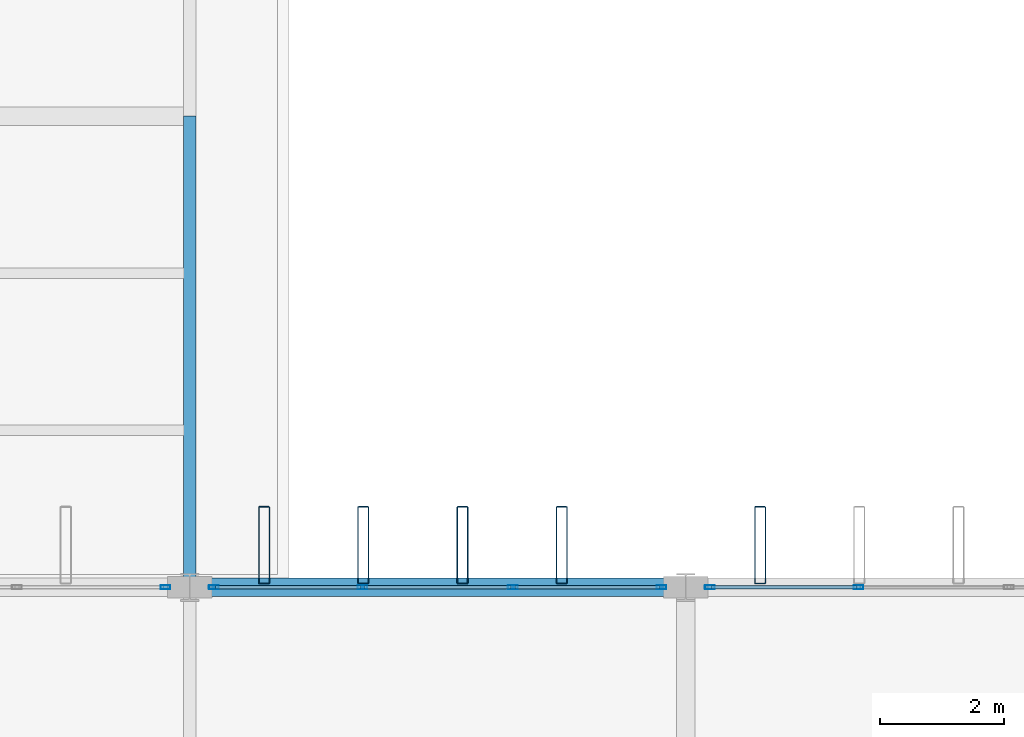
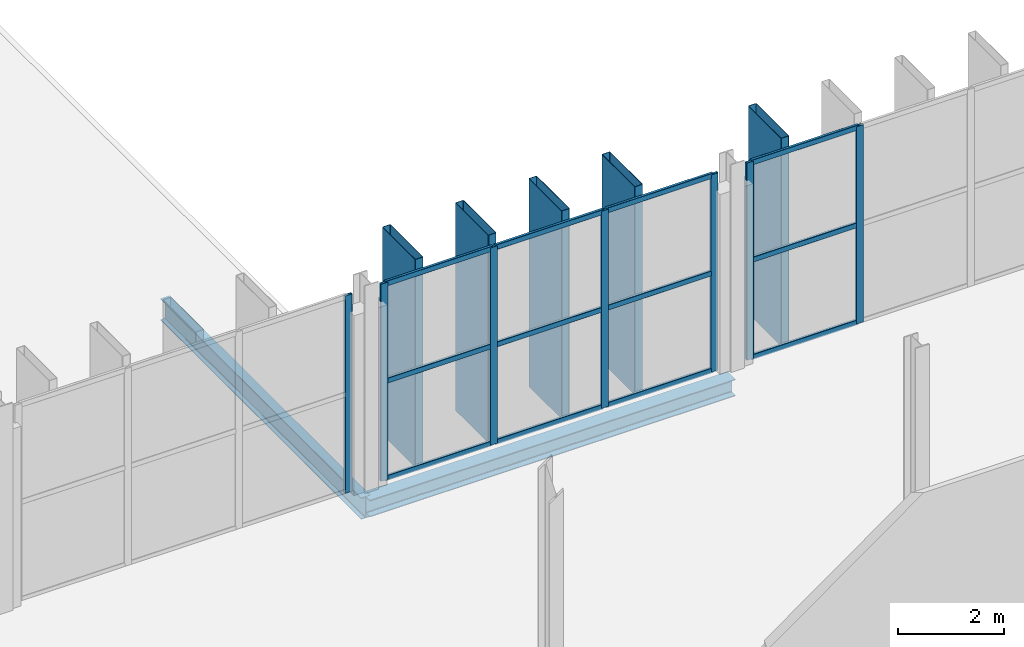
# One storey, part 50 of 120: 24 members, 2 beams, 3 elements without a shape of their own.
"""IFC4 building model written with IfcOpenShell, lengths in metres."""

from ifc_helpers import new_model, si_unit, direction, frame, origin, origin_2d, place, context, subcontext, project, spatial, hollow_rectangle, i_section, extrude, material, layer, layer_set, material_profile, profile_set, type_object, element, aggregate, save


model = new_model("IFC4")

# Units and contexts
model_context = context("Model", 3, precision=1e-05, world=origin(), true_north=direction((0.0, 1.0)))
body_context = subcontext(model_context, "Body", "Model", "MODEL_VIEW")
ifc_project = project(units=[si_unit("LENGTHUNIT", "METRE"), si_unit("AREAUNIT", "SQUARE_METRE"), si_unit("VOLUMEUNIT", "CUBIC_METRE"), si_unit("PLANEANGLEUNIT", "RADIAN"), si_unit("MASSUNIT", "GRAM", prefix="KILO")], contexts=[model_context])

# Site, building, storey
site_placement = place(None, origin())
site = spatial("IfcSite", under=ifc_project, at=site_placement, CompositionType="ELEMENT")
building_placement = place(site_placement, origin())
building = spatial("IfcBuilding", under=site, at=building_placement, Name="Vekula Escarpment Museum", CompositionType="ELEMENT")
storey_placement = place(building_placement, frame((0.0, 0.0, 13.199951171875)))
storey = spatial("IfcBuildingStorey", under=building, at=storey_placement, Name="L03", CompositionType="ELEMENT", Elevation=13.199951171875)

# Beams
ifc_material_1 = material(Name="Steel S355", Category="steel")
ifc_material_profile_1 = material_profile(ifc_material_1, i_section(OverallWidth=0.199951171875, OverallDepth=0.5, WebThickness=0.01025390625, FlangeThickness=0.01611328125, FilletRadius=0.02099609375, at=origin_2d()), Name="IPE 500")
ifc_profile_set_1 = profile_set([ifc_material_profile_1], Name="Steel S355")
beam_type_1 = type_object("IfcBeamType", Name="BM-GIRD-IPE500", PredefinedType="BEAM", material=ifc_profile_set_1)
beam_1_placement = place(storey_placement, frame((102.0, 90.39990234375, -0.5), z_axis=(0.0, 1.0, 0.0), x_axis=(-1.0, 0.0, 0.0)))
element("IfcBeam", 1, at=beam_1_placement, inside=storey, type_object=beam_type_1, Name="Beam Y L03 1601", PredefinedType="BEAM", context=body_context, shape_type="SweptSolid", body=[
    extrude(i_section(OverallWidth=0.199951171875, OverallDepth=0.5, WebThickness=0.01025390625, FlangeThickness=0.01611328125, FilletRadius=0.02099609375, at=origin_2d()), origin(), (0.0, 0.0, 1.0), 7.60009765625),
])
ifc_material_2 = material(Name="Steel S355", Category="steel")
ifc_material_profile_2 = material_profile(ifc_material_2, i_section(OverallWidth=0.300048828125, OverallDepth=0.389892578125, WebThickness=0.010986328125, FlangeThickness=0.01904296875, FilletRadius=0.027099609375, at=origin_2d()), Name="HEA 400")
ifc_profile_set_2 = profile_set([ifc_material_profile_2], Name="Steel S355")
beam_type_2 = type_object("IfcBeamType", Name="BM-SPAN-HEA400", PredefinedType="SPANDREL", material=ifc_profile_set_2)
beam_2_placement = place(storey_placement, frame((102.0, 90.39990234375, -0.445068359375), z_axis=(1.0, 0.0, 0.0), x_axis=(0.0, 1.0, 0.0)))
element("IfcBeam", 2, at=beam_2_placement, inside=storey, type_object=beam_type_2, Name="Beam X L03 1420", PredefinedType="SPANDREL", context=body_context, shape_type="SweptSolid", body=[
    extrude(i_section(OverallWidth=0.300048828125, OverallDepth=0.389892578125, WebThickness=0.010986328125, FlangeThickness=0.01904296875, FilletRadius=0.027099609375, at=origin_2d()), origin(), (0.0, 0.0, 1.0), 8.0),
])

# Curtain wall, members
ifc_material_3 = material(Name="Aluminium thermally broken framing", Category="aluminium")
ifc_layer_1 = layer(ifc_material_3, 0.199951171875)
ifc_layer_set_1 = layer_set([ifc_layer_1], Name="Aluminium thermally broken framing")
curtain_wall_type_1 = type_object("IfcCurtainWallType", Name="CW-SYS-04", PredefinedType="NOTDEFINED", material=ifc_layer_set_1)
curtain_wall_1_placement = place(storey_placement, origin())
curtain_wall_1 = element("IfcCurtainWall", 3, at=curtain_wall_1_placement, inside=storey, type_object=curtain_wall_type_1, Name="Curtain Wall CW-L03-124", PredefinedType="NOTDEFINED")
ifc_material_4 = material(Name="Aluminium anodized mullion", Category="aluminium")
ifc_material_profile_3 = material_profile(ifc_material_4, hollow_rectangle(XDim=0.06005859375, YDim=0.159912109375, WallThickness=0.00390625, InnerFilletRadius=0.00390625, OuterFilletRadius=0.008056640625, at=origin_2d()), Name="ALU 160x60x4")
ifc_profile_set_3 = profile_set([ifc_material_profile_3], Name="Aluminium anodized mullion")
member_type_1 = type_object("IfcMemberType", Name="CW-MUL-160", PredefinedType="MULLION", material=ifc_profile_set_3)
member_1_placement = place(storey_placement, frame((112.78662109375, 90.39990234375, 0.0), z_axis=(0.0, 0.0, 1.0), x_axis=(0.0, -1.0, 0.0)))
member_1 = element("IfcMember", 4, at=member_1_placement, type_object=member_type_1, Name="CW-04 mullion 3", PredefinedType="MULLION", context=body_context, shape_type="SweptSolid", body=[
    extrude(hollow_rectangle(XDim=0.06005859375, YDim=0.159912109375, WallThickness=0.00390625, InnerFilletRadius=0.00390625, OuterFilletRadius=0.008056640625, at=origin_2d()), origin(), (0.0, 0.0, 1.0), 4.56005859375),
])
member_2_placement = place(storey_placement, frame((110.389892578125, 90.39990234375, 0.0), z_axis=(0.0, 0.0, 1.0), x_axis=(0.0, -1.0, 0.0)))
member_2 = element("IfcMember", 5, at=member_2_placement, type_object=member_type_1, Name="CW-04 mullion 4", PredefinedType="MULLION", context=body_context, shape_type="SweptSolid", body=[
    extrude(hollow_rectangle(XDim=0.06005859375, YDim=0.159912109375, WallThickness=0.00390625, InnerFilletRadius=0.00390625, OuterFilletRadius=0.008056640625, at=origin_2d()), origin(), (0.0, 0.0, 1.0), 4.56005859375),
])

ifc_material_5 = material(Name="Aluminium thermally broken framing", Category="aluminium")
ifc_layer_2 = layer(ifc_material_5, 0.159912109375)
ifc_layer_set_2 = layer_set([ifc_layer_2], Name="Aluminium thermally broken framing")
curtain_wall_type_2 = type_object("IfcCurtainWallType", Name="CW-SYS-05", PredefinedType="NOTDEFINED", material=ifc_layer_set_2)
curtain_wall_2_placement = place(storey_placement, origin())
curtain_wall_2 = element("IfcCurtainWall", 6, at=curtain_wall_2_placement, inside=storey, type_object=curtain_wall_type_2, Name="Curtain Wall CW-L03-125", PredefinedType="NOTDEFINED")
member_3_placement = place(storey_placement, frame((109.610107421875, 90.39990234375, 0.0), z_axis=(0.0, 0.0, 1.0), x_axis=(0.0, -1.0, 0.0)))
member_3 = element("IfcMember", 7, at=member_3_placement, type_object=member_type_1, Name="CW-05 mullion 1", PredefinedType="MULLION", context=body_context, shape_type="SweptSolid", body=[
    extrude(hollow_rectangle(XDim=0.06005859375, YDim=0.159912109375, WallThickness=0.00390625, InnerFilletRadius=0.00390625, OuterFilletRadius=0.008056640625, at=origin_2d()), origin(), (0.0, 0.0, 1.0), 4.56005859375),
])
member_4_placement = place(storey_placement, frame((107.21337890625, 90.39990234375, 0.0), z_axis=(0.0, 0.0, 1.0), x_axis=(0.0, -1.0, 0.0)))
member_4 = element("IfcMember", 8, at=member_4_placement, type_object=member_type_1, Name="CW-05 mullion 2", PredefinedType="MULLION", context=body_context, shape_type="SweptSolid", body=[
    extrude(hollow_rectangle(XDim=0.06005859375, YDim=0.159912109375, WallThickness=0.00390625, InnerFilletRadius=0.00390625, OuterFilletRadius=0.008056640625, at=origin_2d()), origin(), (0.0, 0.0, 1.0), 4.56005859375),
])
member_5_placement = place(storey_placement, frame((104.78662109375, 90.39990234375, 0.0), z_axis=(0.0, 0.0, 1.0), x_axis=(0.0, -1.0, 0.0)))
member_5 = element("IfcMember", 9, at=member_5_placement, type_object=member_type_1, Name="CW-05 mullion 3", PredefinedType="MULLION", context=body_context, shape_type="SweptSolid", body=[
    extrude(hollow_rectangle(XDim=0.06005859375, YDim=0.159912109375, WallThickness=0.00390625, InnerFilletRadius=0.00390625, OuterFilletRadius=0.008056640625, at=origin_2d()), origin(), (0.0, 0.0, 1.0), 4.56005859375),
])
member_6_placement = place(storey_placement, frame((102.389892578125, 90.39990234375, 0.0), z_axis=(0.0, 0.0, 1.0), x_axis=(0.0, -1.0, 0.0)))
member_6 = element("IfcMember", 10, at=member_6_placement, type_object=member_type_1, Name="CW-05 mullion 4", PredefinedType="MULLION", context=body_context, shape_type="SweptSolid", body=[
    extrude(hollow_rectangle(XDim=0.06005859375, YDim=0.159912109375, WallThickness=0.00390625, InnerFilletRadius=0.00390625, OuterFilletRadius=0.008056640625, at=origin_2d()), origin(), (0.0, 0.0, 1.0), 4.56005859375),
])

# Curtain wall, member
ifc_material_6 = material(Name="Aluminium thermally broken framing", Category="aluminium")
ifc_layer_3 = layer(ifc_material_6, 0.139892578125)
ifc_layer_set_3 = layer_set([ifc_layer_3], Name="Aluminium thermally broken framing")
curtain_wall_type_3 = type_object("IfcCurtainWallType", Name="CW-SYS-06", PredefinedType="NOTDEFINED", material=ifc_layer_set_3)
curtain_wall_3_placement = place(storey_placement, origin())
curtain_wall_3 = element("IfcCurtainWall", 11, at=curtain_wall_3_placement, inside=storey, type_object=curtain_wall_type_3, Name="Curtain Wall CW-L03-126", PredefinedType="NOTDEFINED")
member_7_placement = place(storey_placement, frame((101.610107421875, 90.39990234375, 0.0), z_axis=(0.0, 0.0, 1.0), x_axis=(0.0, -1.0, 0.0)))
member_7 = element("IfcMember", 12, at=member_7_placement, type_object=member_type_1, Name="CW-06 mullion 1", PredefinedType="MULLION", context=body_context, shape_type="SweptSolid", body=[
    extrude(hollow_rectangle(XDim=0.06005859375, YDim=0.159912109375, WallThickness=0.00390625, InnerFilletRadius=0.00390625, OuterFilletRadius=0.008056640625, at=origin_2d()), origin(), (0.0, 0.0, 1.0), 4.56005859375),
])
aggregate(curtain_wall_3, [member_7])

# Member
ifc_material_7 = material(Name="Aluminium anodized transom", Category="aluminium")
ifc_material_profile_4 = material_profile(ifc_material_7, hollow_rectangle(XDim=0.06005859375, YDim=0.1201171875, WallThickness=0.00390625, InnerFilletRadius=0.00390625, OuterFilletRadius=0.008056640625, at=origin_2d()), Name="ALU 120x60x4")
ifc_profile_set_4 = profile_set([ifc_material_profile_4], Name="Aluminium anodized transom")
member_type_2 = type_object("IfcMemberType", Name="CW-TRN-120", PredefinedType="USERDEFINED", material=ifc_profile_set_4)
member_8_placement = place(storey_placement, frame((112.756591796875, 90.39990234375, 0.030029296875), z_axis=(-1.0, 0.0, 0.0), x_axis=(0.0, -1.0, 0.0)))
member_8 = element("IfcMember", 13, at=member_8_placement, type_object=member_type_2, Name="CW-04 transom 3.1", ObjectType="TRANSOM", PredefinedType="USERDEFINED", context=body_context, shape_type="SweptSolid", body=[
    extrude(hollow_rectangle(XDim=0.06005859375, YDim=0.1201171875, WallThickness=0.00390625, InnerFilletRadius=0.00390625, OuterFilletRadius=0.008056640625, at=origin_2d()), origin(), (0.0, 0.0, 1.0), 2.336669921875),
])

member_9_placement = place(storey_placement, frame((112.756591796875, 90.39990234375, 2.280029296875), z_axis=(-1.0, 0.0, 0.0), x_axis=(0.0, -1.0, 0.0)))
member_9 = element("IfcMember", 14, at=member_9_placement, type_object=member_type_2, Name="CW-04 transom 3.2", ObjectType="TRANSOM", PredefinedType="USERDEFINED", context=body_context, shape_type="SweptSolid", body=[
    extrude(hollow_rectangle(XDim=0.06005859375, YDim=0.1201171875, WallThickness=0.00390625, InnerFilletRadius=0.00390625, OuterFilletRadius=0.008056640625, at=origin_2d()), origin(), (0.0, 0.0, 1.0), 2.336669921875),
])

member_10_placement = place(storey_placement, frame((112.756591796875, 90.39990234375, 4.530029296875), z_axis=(-1.0, 0.0, 0.0), x_axis=(0.0, -1.0, 0.0)))
member_10 = element("IfcMember", 15, at=member_10_placement, type_object=member_type_2, Name="CW-04 transom 3.3", ObjectType="TRANSOM", PredefinedType="USERDEFINED", context=body_context, shape_type="SweptSolid", body=[
    extrude(hollow_rectangle(XDim=0.06005859375, YDim=0.1201171875, WallThickness=0.00390625, InnerFilletRadius=0.00390625, OuterFilletRadius=0.008056640625, at=origin_2d()), origin(), (0.0, 0.0, 1.0), 2.336669921875),
])

aggregate(curtain_wall_1, [member_1, member_2, member_8, member_9, member_10])

member_11_placement = place(storey_placement, frame((109.580078125, 90.39990234375, 0.030029296875), z_axis=(-1.0, 0.0, 0.0), x_axis=(0.0, -1.0, 0.0)))
member_11 = element("IfcMember", 16, at=member_11_placement, type_object=member_type_2, Name="CW-05 transom 1.1", ObjectType="TRANSOM", PredefinedType="USERDEFINED", context=body_context, shape_type="SweptSolid", body=[
    extrude(hollow_rectangle(XDim=0.06005859375, YDim=0.1201171875, WallThickness=0.00390625, InnerFilletRadius=0.00390625, OuterFilletRadius=0.008056640625, at=origin_2d()), origin(), (0.0, 0.0, 1.0), 2.336669921875),
])

member_12_placement = place(storey_placement, frame((109.580078125, 90.39990234375, 2.280029296875), z_axis=(-1.0, 0.0, 0.0), x_axis=(0.0, -1.0, 0.0)))
member_12 = element("IfcMember", 17, at=member_12_placement, type_object=member_type_2, Name="CW-05 transom 1.2", ObjectType="TRANSOM", PredefinedType="USERDEFINED", context=body_context, shape_type="SweptSolid", body=[
    extrude(hollow_rectangle(XDim=0.06005859375, YDim=0.1201171875, WallThickness=0.00390625, InnerFilletRadius=0.00390625, OuterFilletRadius=0.008056640625, at=origin_2d()), origin(), (0.0, 0.0, 1.0), 2.336669921875),
])

member_13_placement = place(storey_placement, frame((109.580078125, 90.39990234375, 4.530029296875), z_axis=(-1.0, 0.0, 0.0), x_axis=(0.0, -1.0, 0.0)))
member_13 = element("IfcMember", 18, at=member_13_placement, type_object=member_type_2, Name="CW-05 transom 1.3", ObjectType="TRANSOM", PredefinedType="USERDEFINED", context=body_context, shape_type="SweptSolid", body=[
    extrude(hollow_rectangle(XDim=0.06005859375, YDim=0.1201171875, WallThickness=0.00390625, InnerFilletRadius=0.00390625, OuterFilletRadius=0.008056640625, at=origin_2d()), origin(), (0.0, 0.0, 1.0), 2.336669921875),
])

member_14_placement = place(storey_placement, frame((107.183349609375, 90.39990234375, 0.030029296875), z_axis=(-1.0, 0.0, 0.0), x_axis=(0.0, -1.0, 0.0)))
member_14 = element("IfcMember", 19, at=member_14_placement, type_object=member_type_2, Name="CW-05 transom 2.1", ObjectType="TRANSOM", PredefinedType="USERDEFINED", context=body_context, shape_type="SweptSolid", body=[
    extrude(hollow_rectangle(XDim=0.06005859375, YDim=0.1201171875, WallThickness=0.00390625, InnerFilletRadius=0.00390625, OuterFilletRadius=0.008056640625, at=origin_2d()), origin(), (0.0, 0.0, 1.0), 2.36669921875),
])

member_15_placement = place(storey_placement, frame((107.183349609375, 90.39990234375, 2.280029296875), z_axis=(-1.0, 0.0, 0.0), x_axis=(0.0, -1.0, 0.0)))
member_15 = element("IfcMember", 20, at=member_15_placement, type_object=member_type_2, Name="CW-05 transom 2.2", ObjectType="TRANSOM", PredefinedType="USERDEFINED", context=body_context, shape_type="SweptSolid", body=[
    extrude(hollow_rectangle(XDim=0.06005859375, YDim=0.1201171875, WallThickness=0.00390625, InnerFilletRadius=0.00390625, OuterFilletRadius=0.008056640625, at=origin_2d()), origin(), (0.0, 0.0, 1.0), 2.36669921875),
])

member_16_placement = place(storey_placement, frame((107.183349609375, 90.39990234375, 4.530029296875), z_axis=(-1.0, 0.0, 0.0), x_axis=(0.0, -1.0, 0.0)))
member_16 = element("IfcMember", 21, at=member_16_placement, type_object=member_type_2, Name="CW-05 transom 2.3", ObjectType="TRANSOM", PredefinedType="USERDEFINED", context=body_context, shape_type="SweptSolid", body=[
    extrude(hollow_rectangle(XDim=0.06005859375, YDim=0.1201171875, WallThickness=0.00390625, InnerFilletRadius=0.00390625, OuterFilletRadius=0.008056640625, at=origin_2d()), origin(), (0.0, 0.0, 1.0), 2.36669921875),
])

member_17_placement = place(storey_placement, frame((104.756591796875, 90.39990234375, 0.030029296875), z_axis=(-1.0, 0.0, 0.0), x_axis=(0.0, -1.0, 0.0)))
member_17 = element("IfcMember", 22, at=member_17_placement, type_object=member_type_2, Name="CW-05 transom 3.1", ObjectType="TRANSOM", PredefinedType="USERDEFINED", context=body_context, shape_type="SweptSolid", body=[
    extrude(hollow_rectangle(XDim=0.06005859375, YDim=0.1201171875, WallThickness=0.00390625, InnerFilletRadius=0.00390625, OuterFilletRadius=0.008056640625, at=origin_2d()), origin(), (0.0, 0.0, 1.0), 2.336669921875),
])

member_18_placement = place(storey_placement, frame((104.756591796875, 90.39990234375, 2.280029296875), z_axis=(-1.0, 0.0, 0.0), x_axis=(0.0, -1.0, 0.0)))
member_18 = element("IfcMember", 23, at=member_18_placement, type_object=member_type_2, Name="CW-05 transom 3.2", ObjectType="TRANSOM", PredefinedType="USERDEFINED", context=body_context, shape_type="SweptSolid", body=[
    extrude(hollow_rectangle(XDim=0.06005859375, YDim=0.1201171875, WallThickness=0.00390625, InnerFilletRadius=0.00390625, OuterFilletRadius=0.008056640625, at=origin_2d()), origin(), (0.0, 0.0, 1.0), 2.336669921875),
])

member_19_placement = place(storey_placement, frame((104.756591796875, 90.39990234375, 4.530029296875), z_axis=(-1.0, 0.0, 0.0), x_axis=(0.0, -1.0, 0.0)))
member_19 = element("IfcMember", 24, at=member_19_placement, type_object=member_type_2, Name="CW-05 transom 3.3", ObjectType="TRANSOM", PredefinedType="USERDEFINED", context=body_context, shape_type="SweptSolid", body=[
    extrude(hollow_rectangle(XDim=0.06005859375, YDim=0.1201171875, WallThickness=0.00390625, InnerFilletRadius=0.00390625, OuterFilletRadius=0.008056640625, at=origin_2d()), origin(), (0.0, 0.0, 1.0), 2.336669921875),
])

aggregate(curtain_wall_2, [member_3, member_4, member_5, member_6, member_11, member_12, member_13, member_14, member_15, member_16, member_17, member_18, member_19])

# Members
ifc_material_8 = material(Name="Steel S355 weathered bronze solar fin", Category="steel")
ifc_material_profile_5 = material_profile(ifc_material_8, hollow_rectangle(XDim=0.179931640625, YDim=1.25, WallThickness=0.010009765625, InnerFilletRadius=0.010009765625, OuterFilletRadius=0.02001953125, at=origin_2d()), Name="RHS 1250x180x10")
ifc_profile_set_5 = profile_set([ifc_material_profile_5], Name="Steel S355 weathered bronze solar fin")
member_type_3 = type_object("IfcMemberType", Name="MB-SOLAR-FIN", PredefinedType="USERDEFINED", material=ifc_profile_set_5)
for number, where, z_axis, x_axis, name in (
    (25, (103.199951171875, 91.080078125, 0.0), (0.0, 0.0, 1.0), (1.0, 0.0, 0.0), "Great Hall Vertical Solar Fin 0218"),
    (26, (104.800048828125, 91.080078125, 0.0), (0.0, 0.0, 1.0), (1.0, 0.0, 0.0), "Great Hall Vertical Solar Fin 0223"),
    (27, (106.39990234375, 91.080078125, 0.0), (0.0, 0.0, 1.0), (1.0, 0.0, 0.0), "Great Hall Vertical Solar Fin 0228"),
    (28, (108.0, 91.080078125, 0.0), (0.0, 0.0, 1.0), (1.0, 0.0, 0.0), "Great Hall Vertical Solar Fin 0233"),
    (29, (111.199951171875, 91.080078125, 0.0), (0.0, 0.0, 1.0), (1.0, 0.0, 0.0), "Great Hall Vertical Solar Fin 0238"),
):
    element("IfcMember", number, at=place(storey_placement, frame(where, z_axis=z_axis, x_axis=x_axis)), inside=storey, type_object=member_type_3, Name=name, ObjectType="SOLAR FIN", PredefinedType="USERDEFINED", context=body_context, shape_type="SweptSolid", body=[
        extrude(hollow_rectangle(XDim=0.179931640625, YDim=1.25, WallThickness=0.010009765625, InnerFilletRadius=0.010009765625, OuterFilletRadius=0.02001953125, at=origin_2d()), origin(), (0.0, 0.0, 1.0), 4.800048828125),
    ])

save(model, "model.ifc")
